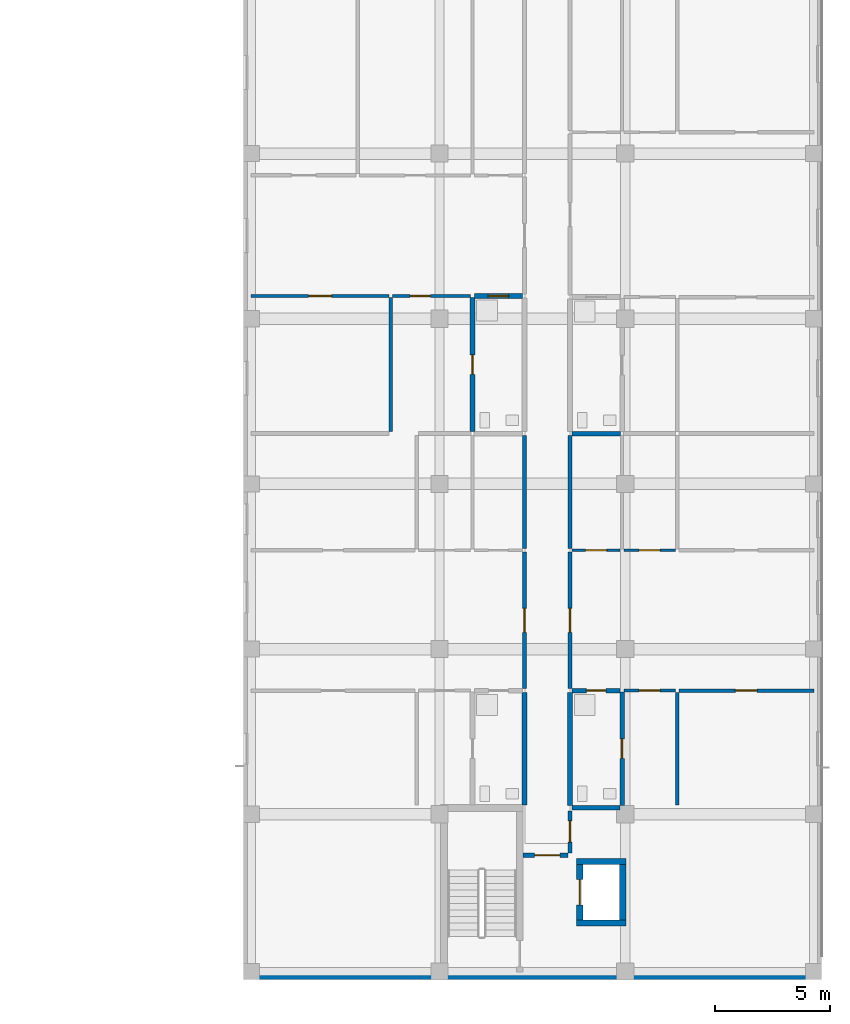
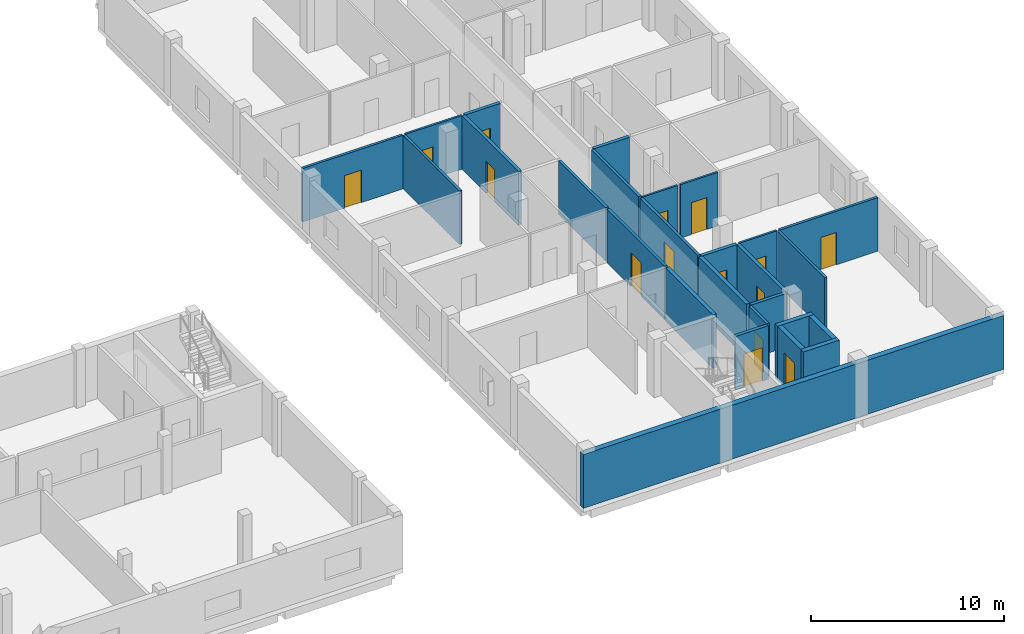
# One storey, part 47 of 73: 27 walls, 15 doors, 15 openings.
"""IFC4 building model written with IfcOpenShell, lengths in metres."""

from ifc_helpers import new_model, si_unit, derived_unit, direction, frame, frame_2d, origin, place, context, subcontext, project, spatial, rectangle, extrude, material, layer, layer_set, type_object, element, fill, save


model = new_model("IFC4")

# Units and contexts
model_context = context("Model", 3, precision=1e-05, world=origin(), true_north=direction((0.0, 1.0)))
body_context = subcontext(model_context, "Body", "Model", "MODEL_VIEW")
ifc_project = project(units=[si_unit("LENGTHUNIT", "METRE"), si_unit("AREAUNIT", "SQUARE_METRE"), si_unit("VOLUMEUNIT", "CUBIC_METRE"), si_unit("PLANEANGLEUNIT", "RADIAN"), si_unit("MASSUNIT", "GRAM", prefix="KILO"), derived_unit("THERMALTRANSMITTANCEUNIT", [(si_unit("MASSUNIT", "GRAM", prefix="KILO"), 1), (si_unit("TIMEUNIT", "SECOND"), -3), (si_unit("THERMODYNAMICTEMPERATUREUNIT", "KELVIN"), -1)])], contexts=[model_context])

# Site, building, storey
site_placement = place(None, origin())
site = spatial("IfcSite", under=ifc_project, at=site_placement, CompositionType="ELEMENT")
building_placement = place(site_placement, origin())
building = spatial("IfcBuilding", under=site, at=building_placement, Name="Ochrekiln Boulevard Commons", CompositionType="ELEMENT")
storey_placement = place(building_placement, frame((0.0, 0.0, 4.89990234375)))
storey = spatial("IfcBuildingStorey", under=building, at=storey_placement, Name="L01", CompositionType="ELEMENT", Elevation=4.89990234375)

# Walls
ifc_material_1 = material(Name="Desert ochre clinker brick masonry ASTM C216 Grade SW", Category="masonry")
ifc_layer_1 = layer(ifc_material_1, 0.330078125)
ifc_layer_set_1 = layer_set([ifc_layer_1], Name="Desert ochre clinker brick masonry ASTM C216 Grade SW")
wall_type_1 = type_object("IfcWallType", Name="WL-EXT-OCHRE-330", PredefinedType="SOLIDWALL", material=ifc_layer_set_1)
wall_1_placement = place(storey_placement, frame((147.60009765625, 0.1650390625, 0.0), z_axis=(0.0, 0.0, 1.0), x_axis=(1.0, 0.0, 0.0)))
element("IfcWall", 1, at=wall_1_placement, inside=storey, type_object=wall_type_1, Name="Block C L01 S Exterior Wall", PredefinedType="SOLIDWALL", context=body_context, shape_type="SweptSolid", body=[
    extrude(rectangle(XDim=25.199951171875, YDim=0.330078125, at=frame_2d((12.60009765625, 0.0))), origin(), (0.0, 0.0, 1.0), 3.4150390625),
])
ifc_material_2 = material(Name="Moisture-resistant cementitious tile backer wall")
ifc_layer_2 = layer(ifc_material_2, 0.199951171875)
ifc_layer_set_2 = layer_set([ifc_layer_2], Name="Moisture-resistant cementitious tile backer wall")
wall_type_2 = type_object("IfcWallType", Name="WL-PLM-200", PredefinedType="PLUMBINGWALL", material=ifc_layer_set_2)
wall_2_placement = place(storey_placement, frame((161.923095703125, 7.47509765625, 0.0), z_axis=(0.0, 0.0, 1.0), x_axis=(1.0, 0.0, 0.0)))
element("IfcWall", 2, at=wall_2_placement, inside=storey, type_object=wall_type_2, Name="L01 Interior Wall W-PW200", PredefinedType="PLUMBINGWALL", context=body_context, shape_type="SweptSolid", body=[
    extrude(rectangle(XDim=2.10693359375, YDim=0.199951171875, at=frame_2d((1.053466796875, 0.0))), origin(), (0.0, 0.0, 1.0), 3.39501953125),
])

# Wall, opening, door
wall_3_placement = place(storey_placement, frame((157.669921875, 29.7919921875, 0.0), z_axis=(0.0, 0.0, 1.0), x_axis=(1.0, 0.0, 0.0)))
wall_3 = element("IfcWall", 3, at=wall_3_placement, inside=storey, type_object=wall_type_2, Name="L01 Interior Wall W-PW200", PredefinedType="PLUMBINGWALL", context=body_context, shape_type="SweptSolid", body=[
    extrude(rectangle(XDim=2.108154296875, YDim=0.199951171875, at=frame_2d((1.05419921875, 0.0))), origin(), (0.0, 0.0, 1.0), 3.39501953125),
])
opening_1_placement = place(wall_3_placement, frame((0.60498046875, 0.0, 0.0)))
opening_1 = element("IfcOpeningElement", 4, at=opening_1_placement, cuts=wall_3, Name="Opening D-L01-220", PredefinedType="OPENING", context=body_context, shape_type="SweptSolid", body=[
    extrude(rectangle(XDim=0.889892578125, YDim=2.030029296875, at=frame_2d((0.44482421875, 1.01513671875))), frame((0.0, 0.10986328125, 0.0), z_axis=(0.0, -1.0, 0.0), x_axis=(1.0, 0.0, 0.0)), (0.0, 0.0, 1.0), 0.219970703125),
])
ifc_material_3 = material(Name="Solid core architectural oak door leaf")
door_type_1 = type_object("IfcDoorType", Name="DR-INT-BTH-089", OperationType="NOTDEFINED", PredefinedType="DOOR", material=ifc_material_3)
door_1_placement = place(opening_1_placement, frame((0.889892578125, 0.0, 0.0), z_axis=(0.0, 0.0, 1.0), x_axis=(-1.0, 0.0, 0.0)))
door_1 = element("IfcDoor", 5, at=door_1_placement, inside=storey, type_object=door_type_1, Name="L01 Interior Door to Apartment Bathroom", OperationType="SINGLE_SWING_RIGHT", OverallHeight=2.030029296875, OverallWidth=0.889892578125, PredefinedType="DOOR", context=body_context, shape_type="SweptSolid", body=[
    extrude(rectangle(XDim=0.889892578125, YDim=2.030029296875, at=frame_2d((0.44482421875, 1.01513671875))), frame((0.0, 0.02490234375, 0.0), z_axis=(0.0, -1.0, 0.0), x_axis=(1.0, 0.0, 0.0)), (0.0, 0.0, 1.0), 0.050048828125),
])
fill(opening_1, door_1)

wall_4_placement = place(storey_placement, frame((157.590087890625, 23.882080078125, 0.0), z_axis=(0.0, 0.0, 1.0), x_axis=(0.0, 1.0, 0.0)))
wall_4 = element("IfcWall", 6, at=wall_4_placement, inside=storey, type_object=wall_type_2, Name="L01 Interior Wall W-PW200", PredefinedType="PLUMBINGWALL", context=body_context, shape_type="SweptSolid", body=[
    extrude(rectangle(XDim=5.849853515625, YDim=0.199951171875, at=frame_2d((2.9248046875, 0.0))), origin(), (0.0, 0.0, 1.0), 3.39501953125),
])
opening_2_placement = place(wall_4_placement, frame((2.489990234375, 0.0, 0.0)))
opening_2 = element("IfcOpeningElement", 7, at=opening_2_placement, cuts=wall_4, Name="Opening D-L01-226", PredefinedType="OPENING", context=body_context, shape_type="SweptSolid", body=[
    extrude(rectangle(XDim=0.85009765625, YDim=2.010009765625, at=frame_2d((0.425048828125, 1.0048828125))), frame((0.0, 0.10986328125, 0.0), z_axis=(0.0, -1.0, 0.0), x_axis=(1.0, 0.0, 0.0)), (0.0, 0.0, 1.0), 0.219970703125),
])
door_type_2 = type_object("IfcDoorType", Name="DR-INT-KIT-085", OperationType="NOTDEFINED", PredefinedType="DOOR", material=ifc_material_3)
door_2_placement = place(opening_2_placement, frame((0.85009765625, 0.0, 0.0), z_axis=(0.0, 0.0, 1.0), x_axis=(-1.0, 0.0, 0.0)))
door_2 = element("IfcDoor", 8, at=door_2_placement, inside=storey, type_object=door_type_2, Name="L01 Interior Door to Apartment Bathroom", OperationType="SINGLE_SWING_RIGHT", OverallHeight=2.010009765625, OverallWidth=0.85009765625, PredefinedType="DOOR", context=body_context, shape_type="SweptSolid", body=[
    extrude(rectangle(XDim=0.85009765625, YDim=2.010009765625, at=frame_2d((0.425048828125, 1.0048828125))), frame((0.0, 0.02490234375, 0.0), z_axis=(0.0, -1.0, 0.0), x_axis=(1.0, 0.0, 0.0)), (0.0, 0.0, 1.0), 0.050048828125),
])
fill(opening_2, door_2)

wall_5_placement = place(storey_placement, frame((161.923095703125, 12.592041015625, 0.0), z_axis=(0.0, 0.0, 1.0), x_axis=(1.0, 0.0, 0.0)))
wall_5 = element("IfcWall", 9, at=wall_5_placement, inside=storey, type_object=wall_type_2, Name="L01 Interior Wall W-PW200", PredefinedType="PLUMBINGWALL", context=body_context, shape_type="SweptSolid", body=[
    extrude(rectangle(XDim=2.10693359375, YDim=0.199951171875, at=frame_2d((1.053466796875, 0.0))), origin(), (0.0, 0.0, 1.0), 3.39501953125),
])
opening_3_placement = place(wall_5_placement, frame((0.626953125, 0.0, 0.0)))
opening_3 = element("IfcOpeningElement", 10, at=opening_3_placement, cuts=wall_5, Name="Opening D-L01-227", PredefinedType="OPENING", context=body_context, shape_type="SweptSolid", body=[
    extrude(rectangle(XDim=0.860107421875, YDim=2.0, at=frame_2d((0.43017578125, 1.0))), frame((0.0, 0.10986328125, 0.0), z_axis=(0.0, -1.0, 0.0), x_axis=(1.0, 0.0, 0.0)), (0.0, 0.0, 1.0), 0.219970703125),
])
door_type_3 = type_object("IfcDoorType", Name="DR-INT-BTH-086", OperationType="NOTDEFINED", PredefinedType="DOOR", material=ifc_material_3)
door_3_placement = place(opening_3_placement, frame((0.860107421875, 0.0, 0.0), z_axis=(0.0, 0.0, 1.0), x_axis=(-1.0, 0.0, 0.0)))
door_3 = element("IfcDoor", 11, at=door_3_placement, inside=storey, type_object=door_type_3, Name="L01 Interior Door to Apartment Bathroom", OperationType="SINGLE_SWING_LEFT", OverallHeight=2.0, OverallWidth=0.860107421875, PredefinedType="DOOR", context=body_context, shape_type="SweptSolid", body=[
    extrude(rectangle(XDim=0.860107421875, YDim=2.0, at=frame_2d((0.43017578125, 1.0))), frame((0.0, 0.02490234375, 0.0), z_axis=(0.0, -1.0, 0.0), x_axis=(1.0, 0.0, 0.0)), (0.0, 0.0, 1.0), 0.050048828125),
])
fill(opening_3, door_3)

wall_6_placement = place(storey_placement, frame((164.110107421875, 7.574951171875, 0.0), z_axis=(0.0, 0.0, 1.0), x_axis=(0.0, 1.0, 0.0)))
wall_6 = element("IfcWall", 12, at=wall_6_placement, inside=storey, type_object=wall_type_2, Name="L01 Interior Wall W-PW200", PredefinedType="PLUMBINGWALL", context=body_context, shape_type="SweptSolid", body=[
    extrude(rectangle(XDim=4.95703125, YDim=0.199951171875, at=frame_2d((2.478515625, 0.0))), origin(), (0.0, 0.0, 1.0), 3.39501953125),
])
opening_4_placement = place(wall_6_placement, frame((2.055908203125, 0.0, 0.0)))
opening_4 = element("IfcOpeningElement", 13, at=opening_4_placement, cuts=wall_6, Name="Opening D-L01-233", PredefinedType="OPENING", context=body_context, shape_type="SweptSolid", body=[
    extrude(rectangle(XDim=0.85009765625, YDim=2.010009765625, at=frame_2d((0.425048828125, 1.0048828125))), frame((0.0, 0.10986328125, 0.0), z_axis=(0.0, -1.0, 0.0), x_axis=(1.0, 0.0, 0.0)), (0.0, 0.0, 1.0), 0.219970703125),
])
door_4_placement = place(opening_4_placement, origin())
door_4 = element("IfcDoor", 14, at=door_4_placement, inside=storey, type_object=door_type_2, Name="L01 Interior Door to Apartment Bathroom", OperationType="SINGLE_SWING_LEFT", OverallHeight=2.010009765625, OverallWidth=0.85009765625, PredefinedType="DOOR", context=body_context, shape_type="SweptSolid", body=[
    extrude(rectangle(XDim=0.85009765625, YDim=2.010009765625, at=frame_2d((0.425048828125, 1.0048828125))), frame((0.0, 0.02490234375, 0.0), z_axis=(0.0, -1.0, 0.0), x_axis=(1.0, 0.0, 0.0)), (0.0, 0.0, 1.0), 0.050048828125),
])
fill(opening_4, door_4)

# Walls
wall_7_placement = place(storey_placement, frame((161.923095703125, 23.7919921875, 0.0), z_axis=(0.0, 0.0, 1.0), x_axis=(1.0, 0.0, 0.0)))
element("IfcWall", 15, at=wall_7_placement, inside=storey, type_object=wall_type_2, Name="L01 Interior Wall W-PW200", PredefinedType="PLUMBINGWALL", context=body_context, shape_type="SweptSolid", body=[
    extrude(rectangle(XDim=2.126953125, YDim=0.199951171875, at=frame_2d((1.0634765625, 0.0))), origin(), (0.0, 0.0, 1.0), 3.39501953125),
])
ifc_layer_3 = layer(ifc_material_2, 0.219970703125)
ifc_layer_set_3 = layer_set([ifc_layer_3], Name="Moisture-resistant cementitious tile backer wall")
wall_type_3 = type_object("IfcWallType", Name="WL-PLM-220", PredefinedType="PLUMBINGWALL", material=ifc_layer_set_3)
wall_8_placement = place(storey_placement, frame((159.860107421875, 7.60009765625, 0.0), z_axis=(0.0, 0.0, 1.0), x_axis=(0.0, 1.0, 0.0)))
element("IfcWall", 16, at=wall_8_placement, inside=storey, type_object=wall_type_3, Name="L01 Interior Wall W-PW220", PredefinedType="PLUMBINGWALL", context=body_context, shape_type="SweptSolid", body=[
    extrude(rectangle(XDim=4.911865234375, YDim=0.219970703125, at=frame_2d((2.4560546875, 0.0))), origin(), (0.0, 0.0, 1.0), 3.39501953125),
])
wall_9_placement = place(storey_placement, frame((161.840087890625, 7.574951171875, 0.0), z_axis=(0.0, 0.0, 1.0), x_axis=(0.0, 1.0, 0.0)))
element("IfcWall", 17, at=wall_9_placement, inside=storey, type_object=wall_type_3, Name="L01 Interior Wall W-PW220", PredefinedType="PLUMBINGWALL", context=body_context, shape_type="SweptSolid", body=[
    extrude(rectangle(XDim=4.93701171875, YDim=0.219970703125, at=frame_2d((2.468505859375, 0.0))), origin(), (0.0, 0.0, 1.0), 3.39501953125),
])

# Wall, opening, door
ifc_material_4 = material(Name="Fire-rated Type X gypsum board on steel studs", Category="steel")
ifc_layer_4 = layer(ifc_material_4, 0.1650390625)
ifc_layer_set_4 = layer_set([ifc_layer_4], Name="Fire-rated Type X gypsum board on steel studs")
wall_type_4 = type_object("IfcWallType", Name="WL-PT-CORR-165", PredefinedType="PARTITIONING", material=ifc_layer_set_4)
wall_10_placement = place(storey_placement, frame((161.840087890625, 5.514892578125, 0.0), z_axis=(0.0, 0.0, 1.0), x_axis=(0.0, 1.0, 0.0)))
wall_10 = element("IfcWall", 18, at=wall_10_placement, inside=storey, type_object=wall_type_4, Name="L01 Interior Wall W-PC165", PredefinedType="PARTITIONING", context=body_context, shape_type="SweptSolid", body=[
    extrude(rectangle(XDim=1.835205078125, YDim=0.1650390625, at=frame_2d((0.91748046875, 0.0))), origin(), (0.0, 0.0, 1.0), 3.39501953125),
])
opening_5_placement = place(wall_10_placement, frame((0.47509765625, 0.0, 0.0)))
opening_5 = element("IfcOpeningElement", 19, at=opening_5_placement, cuts=wall_10, Name="Opening D-L01-208", PredefinedType="OPENING", context=body_context, shape_type="SweptSolid", body=[
    extrude(rectangle(XDim=0.919921875, YDim=2.0400390625, at=frame_2d((0.4599609375, 1.02001953125))), frame((0.0, 0.092529296875, 0.0), z_axis=(0.0, -1.0, 0.0), x_axis=(1.0, 0.0, 0.0)), (0.0, 0.0, 1.0), 0.18505859375),
])
ifc_material_5 = material(Name="Hollow metal fire-rated steel door assembly", Category="steel")
door_type_4 = type_object("IfcDoorType", Name="DR-SRV-90", OperationType="NOTDEFINED", PredefinedType="DOOR", material=ifc_material_5)
door_5_placement = place(opening_5_placement, frame((0.919921875, 0.0, 0.0), z_axis=(0.0, 0.0, 1.0), x_axis=(-1.0, 0.0, 0.0)))
door_5 = element("IfcDoor", 20, at=door_5_placement, inside=storey, type_object=door_type_4, Name="L01 Interior Door to Hydronic and Electrical Riser Room", OperationType="SINGLE_SWING_RIGHT", OverallHeight=2.0400390625, OverallWidth=0.919921875, PredefinedType="DOOR", context=body_context, shape_type="SweptSolid", body=[
    extrude(rectangle(XDim=0.919921875, YDim=2.0400390625, at=frame_2d((0.4599609375, 1.02001953125))), frame((0.0, 0.02490234375, 0.0), z_axis=(0.0, -1.0, 0.0), x_axis=(1.0, 0.0, 0.0)), (0.0, 0.0, 1.0), 0.050048828125),
])
fill(opening_5, door_5)

wall_11_placement = place(storey_placement, frame((159.860107421875, 12.672119140625, 0.0), z_axis=(0.0, 0.0, 1.0), x_axis=(0.0, 1.0, 0.0)))
wall_11 = element("IfcWall", 21, at=wall_11_placement, inside=storey, type_object=wall_type_4, Name="L01 Interior Wall W-PC165", PredefinedType="PARTITIONING", context=body_context, shape_type="SweptSolid", body=[
    extrude(rectangle(XDim=5.957763671875, YDim=0.1650390625, at=frame_2d((2.97900390625, 0.0))), origin(), (0.0, 0.0, 1.0), 3.39501953125),
])
opening_6_placement = place(wall_11_placement, frame((2.4541015625, 0.0, 0.0)))
opening_6 = element("IfcOpeningElement", 22, at=opening_6_placement, cuts=wall_11, Name="Opening D-L01-209", PredefinedType="OPENING", context=body_context, shape_type="SweptSolid", body=[
    extrude(rectangle(XDim=1.050048828125, YDim=2.1298828125, at=frame_2d((0.52490234375, 1.06494140625))), frame((0.0, 0.092529296875, 0.0), z_axis=(0.0, -1.0, 0.0), x_axis=(1.0, 0.0, 0.0)), (0.0, 0.0, 1.0), 0.18505859375),
])
door_type_5 = type_object("IfcDoorType", Name="DR-INT-APT-105", OperationType="NOTDEFINED", PredefinedType="DOOR", material=ifc_material_3)
door_6_placement = place(opening_6_placement, origin())
door_6 = element("IfcDoor", 23, at=door_6_placement, inside=storey, type_object=door_type_5, Name="L01 Interior Door to Two-Bedroom Apartment Living Room", OperationType="SINGLE_SWING_LEFT", OverallHeight=2.1298828125, OverallWidth=1.050048828125, PredefinedType="DOOR", context=body_context, shape_type="SweptSolid", body=[
    extrude(rectangle(XDim=1.050048828125, YDim=2.1298828125, at=frame_2d((0.52490234375, 1.06494140625))), frame((0.0, 0.02490234375, 0.0), z_axis=(0.0, -1.0, 0.0), x_axis=(1.0, 0.0, 0.0)), (0.0, 0.0, 1.0), 0.050048828125),
])
fill(opening_6, door_6)

# Wall
wall_12_placement = place(storey_placement, frame((159.860107421875, 18.7900390625, 0.0), z_axis=(0.0, 0.0, 1.0), x_axis=(0.0, 1.0, 0.0)))
element("IfcWall", 24, at=wall_12_placement, inside=storey, type_object=wall_type_4, Name="L01 Interior Wall W-PC165", PredefinedType="PARTITIONING", context=body_context, shape_type="SweptSolid", body=[
    extrude(rectangle(XDim=4.911865234375, YDim=0.1650390625, at=frame_2d((2.4560546875, 0.0))), origin(), (0.0, 0.0, 1.0), 3.39501953125),
])

# Wall, opening, door
wall_13_placement = place(storey_placement, frame((161.840087890625, 12.672119140625, 0.0), z_axis=(0.0, 0.0, 1.0), x_axis=(0.0, 1.0, 0.0)))
wall_13 = element("IfcWall", 25, at=wall_13_placement, inside=storey, type_object=wall_type_4, Name="L01 Interior Wall W-PC165", PredefinedType="PARTITIONING", context=body_context, shape_type="SweptSolid", body=[
    extrude(rectangle(XDim=5.957763671875, YDim=0.1650390625, at=frame_2d((2.97900390625, 0.0))), origin(), (0.0, 0.0, 1.0), 3.39501953125),
])
opening_7_placement = place(wall_13_placement, frame((2.4541015625, 0.0, 0.0)))
opening_7 = element("IfcOpeningElement", 26, at=opening_7_placement, cuts=wall_13, Name="Opening D-L01-211", PredefinedType="OPENING", context=body_context, shape_type="SweptSolid", body=[
    extrude(rectangle(XDim=1.050048828125, YDim=2.1298828125, at=frame_2d((0.52490234375, 1.06494140625))), frame((0.0, 0.092529296875, 0.0), z_axis=(0.0, -1.0, 0.0), x_axis=(1.0, 0.0, 0.0)), (0.0, 0.0, 1.0), 0.18505859375),
])
door_7_placement = place(opening_7_placement, frame((1.050048828125, 0.0, 0.0), z_axis=(0.0, 0.0, 1.0), x_axis=(-1.0, 0.0, 0.0)))
door_7 = element("IfcDoor", 27, at=door_7_placement, inside=storey, type_object=door_type_5, Name="L01 Interior Door to Two-Bedroom Apartment Living Room", OperationType="SINGLE_SWING_LEFT", OverallHeight=2.1298828125, OverallWidth=1.050048828125, PredefinedType="DOOR", context=body_context, shape_type="SweptSolid", body=[
    extrude(rectangle(XDim=1.050048828125, YDim=2.1298828125, at=frame_2d((0.52490234375, 1.06494140625))), frame((0.0, 0.02490234375, 0.0), z_axis=(0.0, -1.0, 0.0), x_axis=(1.0, 0.0, 0.0)), (0.0, 0.0, 1.0), 0.050048828125),
])
fill(opening_7, door_7)

# Wall
wall_14_placement = place(storey_placement, frame((161.840087890625, 18.7900390625, 0.0), z_axis=(0.0, 0.0, 1.0), x_axis=(0.0, 1.0, 0.0)))
element("IfcWall", 28, at=wall_14_placement, inside=storey, type_object=wall_type_4, Name="L01 Interior Wall W-PC165", PredefinedType="PARTITIONING", context=body_context, shape_type="SweptSolid", body=[
    extrude(rectangle(XDim=4.911865234375, YDim=0.1650390625, at=frame_2d((2.4560546875, 0.0))), origin(), (0.0, 0.0, 1.0), 3.39501953125),
])

# Wall, opening, door
ifc_layer_5 = layer(ifc_material_4, 0.18994140625)
ifc_layer_set_5 = layer_set([ifc_layer_5], Name="Fire-rated Type X gypsum board on steel studs")
wall_type_5 = type_object("IfcWallType", Name="WL-PT-LBY-190", PredefinedType="PARTITIONING", material=ifc_layer_set_5)
wall_15_placement = place(storey_placement, frame((159.800048828125, 5.419921875, 0.0), z_axis=(0.0, 0.0, 1.0), x_axis=(1.0, 0.0, 0.0)))
wall_15 = element("IfcWall", 29, at=wall_15_placement, inside=storey, type_object=wall_type_5, Name="L01 Interior Wall W-PL190", PredefinedType="PARTITIONING", context=body_context, shape_type="SweptSolid", body=[
    extrude(rectangle(XDim=1.949951171875, YDim=0.18994140625, at=frame_2d((0.97509765625, 0.0))), origin(), (0.0, 0.0, 1.0), 3.39501953125),
])
opening_8_placement = place(wall_15_placement, frame((0.5, 0.0, 0.0)))
opening_8 = element("IfcOpeningElement", 30, at=opening_8_placement, cuts=wall_15, Name="Opening D-L01-206", PredefinedType="OPENING", context=body_context, shape_type="SweptSolid", body=[
    extrude(rectangle(XDim=1.10009765625, YDim=2.1201171875, at=frame_2d((0.550048828125, 1.06005859375))), frame((0.0, 0.10498046875, 0.0), z_axis=(0.0, -1.0, 0.0), x_axis=(1.0, 0.0, 0.0)), (0.0, 0.0, 1.0), 0.2099609375),
])
door_type_6 = type_object("IfcDoorType", Name="DR-LOBBY-60", OperationType="NOTDEFINED", PredefinedType="DOOR", material=ifc_material_5)
door_8_placement = place(opening_8_placement, frame((1.10009765625, 0.0, 0.0), z_axis=(0.0, 0.0, 1.0), x_axis=(-1.0, 0.0, 0.0)))
door_8 = element("IfcDoor", 31, at=door_8_placement, inside=storey, type_object=door_type_6, Name="L01 Interior Door to Passenger Elevator Lobby", OperationType="SINGLE_SWING_RIGHT", OverallHeight=2.1201171875, OverallWidth=1.10009765625, PredefinedType="DOOR", context=body_context, shape_type="SweptSolid", body=[
    extrude(rectangle(XDim=1.10009765625, YDim=2.1201171875, at=frame_2d((0.550048828125, 1.06005859375))), frame((0.0, 0.02490234375, 0.0), z_axis=(0.0, -1.0, 0.0), x_axis=(1.0, 0.0, 0.0)), (0.0, 0.0, 1.0), 0.050048828125),
])
fill(opening_8, door_8)

ifc_layer_6 = layer(ifc_material_4, 0.1201171875)
ifc_layer_set_6 = layer_set([ifc_layer_6], Name="Fire-rated Type X gypsum board on steel studs")
wall_type_6 = type_object("IfcWallType", Name="WL-PT-LGT-120", PredefinedType="PARTITIONING", material=ifc_layer_set_6)
wall_16_placement = place(storey_placement, frame((154.113037109375, 29.7919921875, 0.0), z_axis=(0.0, 0.0, 1.0), x_axis=(1.0, 0.0, 0.0)))
wall_16 = element("IfcWall", 32, at=wall_16_placement, inside=storey, type_object=wall_type_6, Name="L01 Interior Wall W-PL120", PredefinedType="PARTITIONING", context=body_context, shape_type="SweptSolid", body=[
    extrude(rectangle(XDim=3.39697265625, YDim=0.1201171875, at=frame_2d((1.698486328125, 0.0))), origin(), (0.0, 0.0, 1.0), 3.39501953125),
])
opening_9_placement = place(wall_16_placement, frame((0.758056640625, 0.0, 0.0)))
opening_9 = element("IfcOpeningElement", 33, at=opening_9_placement, cuts=wall_16, Name="Opening D-L01-223", PredefinedType="OPENING", context=body_context, shape_type="SweptSolid", body=[
    extrude(rectangle(XDim=0.8798828125, YDim=2.02001953125, at=frame_2d((0.43994140625, 1.010009765625))), frame((0.0, 0.070068359375, 0.0), z_axis=(0.0, -1.0, 0.0), x_axis=(1.0, 0.0, 0.0)), (0.0, 0.0, 1.0), 0.14013671875),
])
door_type_7 = type_object("IfcDoorType", Name="DR-INT-KIT-088", OperationType="NOTDEFINED", PredefinedType="DOOR", material=ifc_material_3)
door_9_placement = place(opening_9_placement, frame((0.8798828125, 0.0, 0.0), z_axis=(0.0, 0.0, 1.0), x_axis=(-1.0, 0.0, 0.0)))
door_9 = element("IfcDoor", 34, at=door_9_placement, inside=storey, type_object=door_type_7, Name="L01 Interior Door to Apartment Walk-In Wardrobe", OperationType="SINGLE_SWING_LEFT", OverallHeight=2.02001953125, OverallWidth=0.8798828125, PredefinedType="DOOR", context=body_context, shape_type="SweptSolid", body=[
    extrude(rectangle(XDim=0.8798828125, YDim=2.02001953125, at=frame_2d((0.43994140625, 1.010009765625))), frame((0.0, 0.02490234375, 0.0), z_axis=(0.0, -1.0, 0.0), x_axis=(1.0, 0.0, 0.0)), (0.0, 0.0, 1.0), 0.050048828125),
])
fill(opening_9, door_9)

wall_17_placement = place(storey_placement, frame((161.923095703125, 18.7099609375, 0.0), z_axis=(0.0, 0.0, 1.0), x_axis=(1.0, 0.0, 0.0)))
wall_17 = element("IfcWall", 35, at=wall_17_placement, inside=storey, type_object=wall_type_6, Name="L01 Interior Wall W-PL120", PredefinedType="PARTITIONING", context=body_context, shape_type="SweptSolid", body=[
    extrude(rectangle(XDim=2.10693359375, YDim=0.1201171875, at=frame_2d((1.053466796875, 0.0))), origin(), (0.0, 0.0, 1.0), 3.39501953125),
])
opening_10_placement = place(wall_17_placement, frame((0.596923828125, 0.0, 0.0)))
opening_10 = element("IfcOpeningElement", 36, at=opening_10_placement, cuts=wall_17, Name="Opening D-L01-228", PredefinedType="OPENING", context=body_context, shape_type="SweptSolid", body=[
    extrude(rectangle(XDim=0.919921875, YDim=2.02001953125, at=frame_2d((0.4599609375, 1.010009765625))), frame((0.0, 0.070068359375, 0.0), z_axis=(0.0, -1.0, 0.0), x_axis=(1.0, 0.0, 0.0)), (0.0, 0.0, 1.0), 0.14013671875),
])
door_type_8 = type_object("IfcDoorType", Name="DR-INT-KIT-092", OperationType="NOTDEFINED", PredefinedType="DOOR", material=ifc_material_3)
door_10_placement = place(opening_10_placement, origin())
door_10 = element("IfcDoor", 37, at=door_10_placement, inside=storey, type_object=door_type_8, Name="L01 Interior Door to Apartment Kitchen", OperationType="SINGLE_SWING_RIGHT", OverallHeight=2.02001953125, OverallWidth=0.919921875, PredefinedType="DOOR", context=body_context, shape_type="SweptSolid", body=[
    extrude(rectangle(XDim=0.919921875, YDim=2.02001953125, at=frame_2d((0.4599609375, 1.010009765625))), frame((0.0, 0.02490234375, 0.0), z_axis=(0.0, -1.0, 0.0), x_axis=(1.0, 0.0, 0.0)), (0.0, 0.0, 1.0), 0.050048828125),
])
fill(opening_10, door_10)

wall_18_placement = place(storey_placement, frame((164.18994140625, 12.592041015625, 0.0), z_axis=(0.0, 0.0, 1.0), x_axis=(1.0, 0.0, 0.0)))
wall_18 = element("IfcWall", 38, at=wall_18_placement, inside=storey, type_object=wall_type_6, Name="L01 Interior Wall W-PL120", PredefinedType="PARTITIONING", context=body_context, shape_type="SweptSolid", body=[
    extrude(rectangle(XDim=2.25, YDim=0.1201171875, at=frame_2d((1.125, 0.0))), origin(), (0.0, 0.0, 1.0), 3.39501953125),
])
opening_11_placement = place(wall_18_placement, frame((0.6650390625, 0.0, 0.0)))
opening_11 = element("IfcOpeningElement", 39, at=opening_11_placement, cuts=wall_18, Name="Opening D-L01-230", PredefinedType="OPENING", context=body_context, shape_type="SweptSolid", body=[
    extrude(rectangle(XDim=0.919921875, YDim=2.02001953125, at=frame_2d((0.4599609375, 1.010009765625))), frame((0.0, 0.070068359375, 0.0), z_axis=(0.0, -1.0, 0.0), x_axis=(1.0, 0.0, 0.0)), (0.0, 0.0, 1.0), 0.14013671875),
])
door_11_placement = place(opening_11_placement, frame((0.919921875, 0.0, 0.0), z_axis=(0.0, 0.0, 1.0), x_axis=(-1.0, 0.0, 0.0)))
door_11 = element("IfcDoor", 40, at=door_11_placement, inside=storey, type_object=door_type_8, Name="L01 Interior Door to Apartment Walk-In Wardrobe", OperationType="SINGLE_SWING_RIGHT", OverallHeight=2.02001953125, OverallWidth=0.919921875, PredefinedType="DOOR", context=body_context, shape_type="SweptSolid", body=[
    extrude(rectangle(XDim=0.919921875, YDim=2.02001953125, at=frame_2d((0.4599609375, 1.010009765625))), frame((0.0, 0.02490234375, 0.0), z_axis=(0.0, -1.0, 0.0), x_axis=(1.0, 0.0, 0.0)), (0.0, 0.0, 1.0), 0.050048828125),
])
fill(opening_11, door_11)

wall_19_placement = place(storey_placement, frame((164.18994140625, 18.7099609375, 0.0), z_axis=(0.0, 0.0, 1.0), x_axis=(1.0, 0.0, 0.0)))
wall_19 = element("IfcWall", 41, at=wall_19_placement, inside=storey, type_object=wall_type_6, Name="L01 Interior Wall W-PL120", PredefinedType="PARTITIONING", context=body_context, shape_type="SweptSolid", body=[
    extrude(rectangle(XDim=2.25, YDim=0.1201171875, at=frame_2d((1.125, 0.0))), origin(), (0.0, 0.0, 1.0), 3.39501953125),
])
opening_12_placement = place(wall_19_placement, frame((0.6650390625, 0.0, 0.0)))
opening_12 = element("IfcOpeningElement", 42, at=opening_12_placement, cuts=wall_19, Name="Opening D-L01-232", PredefinedType="OPENING", context=body_context, shape_type="SweptSolid", body=[
    extrude(rectangle(XDim=0.919921875, YDim=2.02001953125, at=frame_2d((0.4599609375, 1.010009765625))), frame((0.0, 0.070068359375, 0.0), z_axis=(0.0, -1.0, 0.0), x_axis=(1.0, 0.0, 0.0)), (0.0, 0.0, 1.0), 0.14013671875),
])
door_12_placement = place(opening_12_placement, origin())
door_12 = element("IfcDoor", 43, at=door_12_placement, inside=storey, type_object=door_type_8, Name="L01 Interior Door to Apartment Walk-In Wardrobe", OperationType="SINGLE_SWING_RIGHT", OverallHeight=2.02001953125, OverallWidth=0.919921875, PredefinedType="DOOR", context=body_context, shape_type="SweptSolid", body=[
    extrude(rectangle(XDim=0.919921875, YDim=2.02001953125, at=frame_2d((0.4599609375, 1.010009765625))), frame((0.0, 0.02490234375, 0.0), z_axis=(0.0, -1.0, 0.0), x_axis=(1.0, 0.0, 0.0)), (0.0, 0.0, 1.0), 0.050048828125),
])
fill(opening_12, door_12)

ifc_layer_7 = layer(ifc_material_4, 0.14990234375)
ifc_layer_set_7 = layer_set([ifc_layer_7], Name="Fire-rated Type X gypsum board on steel studs")
wall_type_7 = type_object("IfcWallType", Name="WL-PT-STD-150", PredefinedType="PARTITIONING", material=ifc_layer_set_7)
wall_20_placement = place(storey_placement, frame((147.929931640625, 29.7919921875, 0.0), z_axis=(0.0, 0.0, 1.0), x_axis=(1.0, 0.0, 0.0)))
wall_20 = element("IfcWall", 44, at=wall_20_placement, inside=storey, type_object=wall_type_7, Name="L01 Interior Wall W-PS150", PredefinedType="PARTITIONING", context=body_context, shape_type="SweptSolid", body=[
    extrude(rectangle(XDim=6.02294921875, YDim=0.14990234375, at=frame_2d((3.011474609375, 0.0))), origin(), (0.0, 0.0, 1.0), 3.39501953125),
])
opening_13_placement = place(wall_20_placement, frame((2.52197265625, 0.0, 0.0)))
opening_13 = element("IfcOpeningElement", 45, at=opening_13_placement, cuts=wall_20, Name="Opening D-L01-222", PredefinedType="OPENING", context=body_context, shape_type="SweptSolid", body=[
    extrude(rectangle(XDim=1.0, YDim=2.06005859375, at=frame_2d((0.5, 1.030029296875))), frame((0.0, 0.0849609375, 0.0), z_axis=(0.0, -1.0, 0.0), x_axis=(1.0, 0.0, 0.0)), (0.0, 0.0, 1.0), 0.169921875),
])
door_type_9 = type_object("IfcDoorType", Name="DR-INT-BED-100", OperationType="NOTDEFINED", PredefinedType="DOOR", material=ifc_material_3)
door_13_placement = place(opening_13_placement, frame((1.0, 0.0, 0.0), z_axis=(0.0, 0.0, 1.0), x_axis=(-1.0, 0.0, 0.0)))
door_13 = element("IfcDoor", 46, at=door_13_placement, inside=storey, type_object=door_type_9, Name="L01 Interior Door to Primary Apartment Bedroom", OperationType="SINGLE_SWING_RIGHT", OverallHeight=2.06005859375, OverallWidth=1.0, PredefinedType="DOOR", context=body_context, shape_type="SweptSolid", body=[
    extrude(rectangle(XDim=1.0, YDim=2.06005859375, at=frame_2d((0.5, 1.030029296875))), frame((0.0, 0.02490234375, 0.0), z_axis=(0.0, -1.0, 0.0), x_axis=(1.0, 0.0, 0.0)), (0.0, 0.0, 1.0), 0.050048828125),
])
fill(opening_13, door_13)

# Wall
wall_21_placement = place(storey_placement, frame((154.032958984375, 23.882080078125, 0.0), z_axis=(0.0, 0.0, 1.0), x_axis=(0.0, 1.0, 0.0)))
element("IfcWall", 47, at=wall_21_placement, inside=storey, type_object=wall_type_7, Name="L01 Interior Wall W-PS150", PredefinedType="PARTITIONING", context=body_context, shape_type="SweptSolid", body=[
    extrude(rectangle(XDim=5.8349609375, YDim=0.14990234375, at=frame_2d((2.91748046875, 0.0))), origin(), (0.0, 0.0, 1.0), 3.39501953125),
])

# Wall, opening, door
wall_22_placement = place(storey_placement, frame((166.60009765625, 12.592041015625, 0.0), z_axis=(0.0, 0.0, 1.0), x_axis=(1.0, 0.0, 0.0)))
wall_22 = element("IfcWall", 48, at=wall_22_placement, inside=storey, type_object=wall_type_7, Name="L01 Interior Wall W-PS150", PredefinedType="PARTITIONING", context=body_context, shape_type="SweptSolid", body=[
    extrude(rectangle(XDim=5.869873046875, YDim=0.14990234375, at=frame_2d((2.93505859375, 0.0))), origin(), (0.0, 0.0, 1.0), 3.39501953125),
])
opening_14_placement = place(wall_22_placement, frame((2.455078125, 0.0, 0.0)))
opening_14 = element("IfcOpeningElement", 49, at=opening_14_placement, cuts=wall_22, Name="Opening D-L01-229", PredefinedType="OPENING", context=body_context, shape_type="SweptSolid", body=[
    extrude(rectangle(XDim=0.93994140625, YDim=2.06005859375, at=frame_2d((0.469970703125, 1.030029296875))), frame((0.0, 0.0849609375, 0.0), z_axis=(0.0, -1.0, 0.0), x_axis=(1.0, 0.0, 0.0)), (0.0, 0.0, 1.0), 0.169921875),
])
door_type_10 = type_object("IfcDoorType", Name="DR-INT-BED-094", OperationType="NOTDEFINED", PredefinedType="DOOR", material=ifc_material_3)
door_14_placement = place(opening_14_placement, frame((0.93994140625, 0.0, 0.0), z_axis=(0.0, 0.0, 1.0), x_axis=(-1.0, 0.0, 0.0)))
door_14 = element("IfcDoor", 50, at=door_14_placement, inside=storey, type_object=door_type_10, Name="L01 Interior Door to Primary Apartment Bedroom", OperationType="SINGLE_SWING_LEFT", OverallHeight=2.06005859375, OverallWidth=0.93994140625, PredefinedType="DOOR", context=body_context, shape_type="SweptSolid", body=[
    extrude(rectangle(XDim=0.93994140625, YDim=2.06005859375, at=frame_2d((0.469970703125, 1.030029296875))), frame((0.0, 0.02490234375, 0.0), z_axis=(0.0, -1.0, 0.0), x_axis=(1.0, 0.0, 0.0)), (0.0, 0.0, 1.0), 0.050048828125),
])
fill(opening_14, door_14)

# Walls
wall_23_placement = place(storey_placement, frame((166.52001953125, 7.60009765625, 0.0), z_axis=(0.0, 0.0, 1.0), x_axis=(0.0, 1.0, 0.0)))
element("IfcWall", 51, at=wall_23_placement, inside=storey, type_object=wall_type_7, Name="L01 Interior Wall W-PS150", PredefinedType="PARTITIONING", context=body_context, shape_type="SweptSolid", body=[
    extrude(rectangle(XDim=4.9169921875, YDim=0.14990234375, at=frame_2d((2.45849609375, 0.0))), origin(), (0.0, 0.0, 1.0), 3.39501953125),
])
ifc_material_6 = material(Name="Concrete C40/50", Category="concrete")
ifc_layer_8 = layer(ifc_material_6, 0.27490234375)
ifc_layer_set_8 = layer_set([ifc_layer_8], Name="Concrete C40/50")
wall_type_8 = type_object("IfcWallType", Name="WL-SH-275", PredefinedType="SHEAR", material=ifc_layer_set_8)
for number, where, z_axis, x_axis, name in (
    (52, (162.125, 2.46240234375, 0.0), (0.0, 0.0, 1.0), (1.0, 0.0, 0.0), "Elevator LP-C1 L01 Hoistway Shear Wall"),
    (53, (162.125, 5.137451171875, 0.0), (0.0, 0.0, 1.0), (1.0, 0.0, 0.0), "Elevator LP-C1 L01 Hoistway Shear Wall"),
):
    element("IfcWall", number, at=place(storey_placement, frame(where, z_axis=z_axis, x_axis=x_axis)), inside=storey, type_object=wall_type_8, Name=name, PredefinedType="SHEAR", context=body_context, shape_type="SweptSolid", body=[
        extrude(rectangle(XDim=2.14990234375, YDim=0.27490234375, at=frame_2d((1.074951171875, 0.0))), origin(), (0.0, 0.0, 1.0), 3.4150390625),
    ])

# Wall, opening, door
wall_24_placement = place(storey_placement, frame((162.262451171875, 2.60009765625, 0.0), z_axis=(0.0, 0.0, 1.0), x_axis=(0.0, 1.0, 0.0)))
wall_24 = element("IfcWall", 54, at=wall_24_placement, inside=storey, type_object=wall_type_8, Name="Elevator LP-C1 L01 Hoistway Shear Wall", PredefinedType="SHEAR", context=body_context, shape_type="SweptSolid", body=[
    extrude(rectangle(XDim=2.39990234375, YDim=0.27490234375, at=frame_2d((1.199951171875, 0.0))), origin(), (0.0, 0.0, 1.0), 3.4150390625),
])
opening_15_placement = place(wall_24_placement, frame((0.64990234375, 0.0, 0.0)))
opening_15 = element("IfcOpeningElement", 55, at=opening_15_placement, cuts=wall_24, Name="Opening LD-LP-C1-L01", PredefinedType="OPENING", context=body_context, shape_type="SweptSolid", body=[
    extrude(rectangle(XDim=1.10009765625, YDim=2.14990234375, at=frame_2d((0.550048828125, 1.074951171875))), frame((0.0, 0.1474609375, 0.0), z_axis=(0.0, -1.0, 0.0), x_axis=(1.0, 0.0, 0.0)), (0.0, 0.0, 1.0), 0.294921875),
])
ifc_material_7 = material(Name="Brushed stainless steel 316 elevator cab and doors", Category="steel")
door_type_11 = type_object("IfcDoorType", Name="DR-LIFT-LD90", OperationType="SLIDING_TO_LEFT", PredefinedType="DOOR", material=ifc_material_7)
door_15_placement = place(opening_15_placement, origin())
door_15 = element("IfcDoor", 56, at=door_15_placement, inside=storey, type_object=door_type_11, Name="Elevator LP-C1 L01 Sliding Landing Door LD-LP-C1-L01", OperationType="SLIDING_TO_LEFT", OverallHeight=2.14990234375, OverallWidth=1.10009765625, PredefinedType="DOOR", context=body_context, shape_type="SweptSolid", body=[
    extrude(rectangle(XDim=1.10009765625, YDim=2.14990234375, at=frame_2d((0.550048828125, 1.074951171875))), frame((0.0, 0.02490234375, 0.0), z_axis=(0.0, -1.0, 0.0), x_axis=(1.0, 0.0, 0.0)), (0.0, 0.0, 1.0), 0.050048828125),
])
fill(opening_15, door_15)

# Wall
wall_25_placement = place(storey_placement, frame((164.137451171875, 2.60009765625, 0.0), z_axis=(0.0, 0.0, 1.0), x_axis=(0.0, 1.0, 0.0)))
element("IfcWall", 57, at=wall_25_placement, inside=storey, type_object=wall_type_8, Name="Elevator LP-C1 L01 Hoistway Shear Wall", PredefinedType="SHEAR", context=body_context, shape_type="SweptSolid", body=[
    extrude(rectangle(XDim=2.39990234375, YDim=0.27490234375, at=frame_2d((1.199951171875, 0.0))), origin(), (0.0, 0.0, 1.0), 3.4150390625),
])

save(model, "model.ifc")
